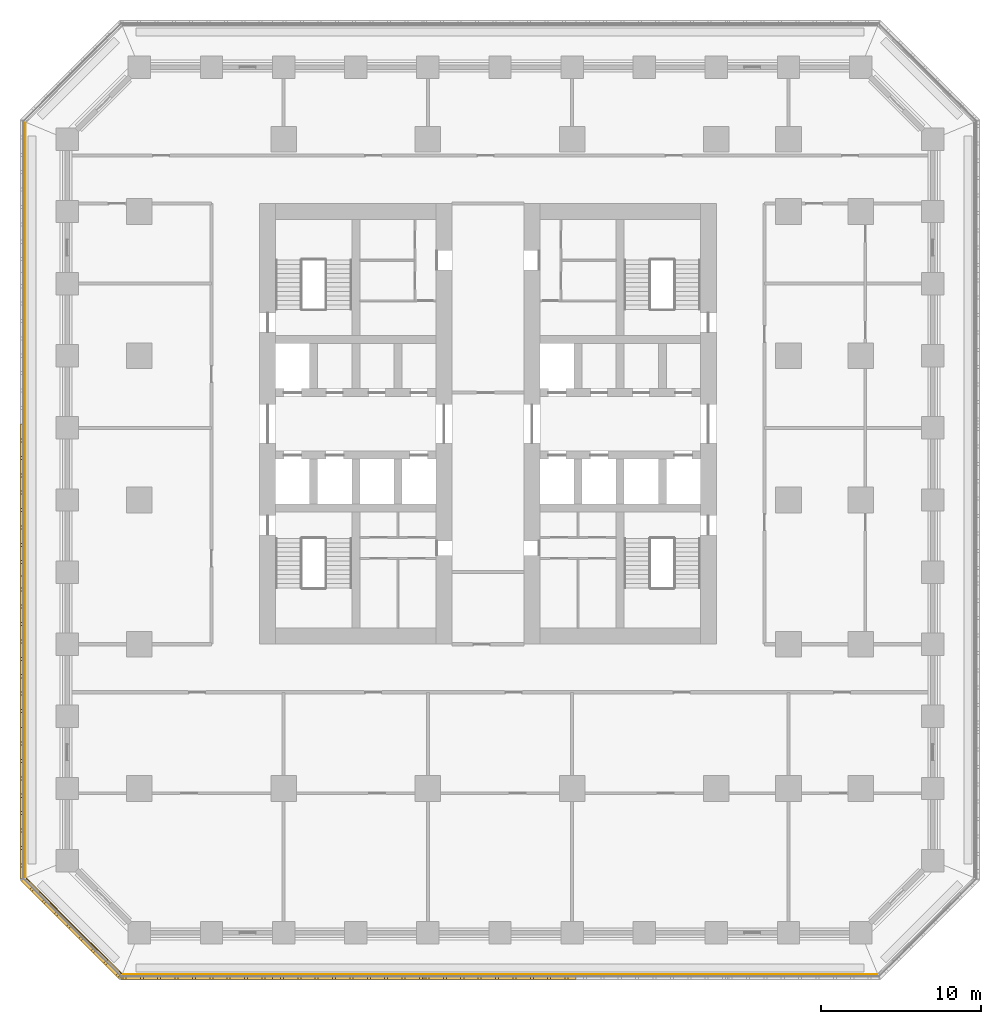
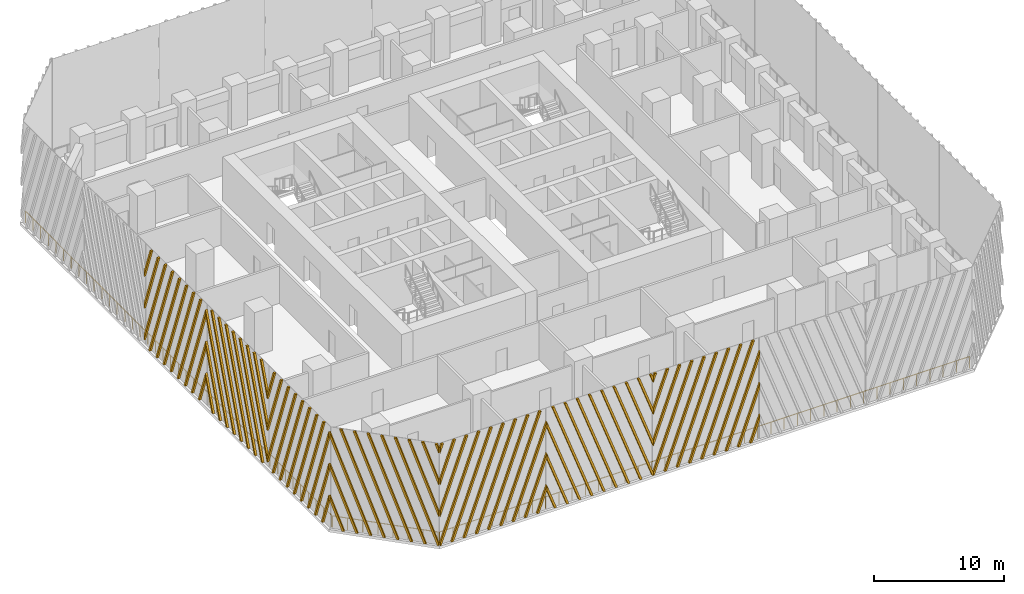
# One storey, part 8 of 13: 7 shading devices, 3 railings.
"""IFC4 building model written with IfcOpenShell, lengths in metres."""

from ifc_helpers import new_model, si_unit, direction, frame, origin, origin_2d, place, context, subcontext, project, spatial, polyline, circle, outline, extrude, source, transform, mapped, material, type_object, element, save


model = new_model("IFC4")

# Units and contexts
model_context = context("Model", 3, precision=1e-05, world=origin(), true_north=direction((0.0, 1.0)))
body_context = subcontext(model_context, "Body", "Model", "MODEL_VIEW")
ifc_project = project(units=[si_unit("LENGTHUNIT", "METRE"), si_unit("AREAUNIT", "SQUARE_METRE"), si_unit("VOLUMEUNIT", "CUBIC_METRE"), si_unit("PLANEANGLEUNIT", "RADIAN"), si_unit("MASSUNIT", "GRAM", prefix="KILO")], contexts=[model_context])

# Site, building, storey
site_placement = place(None, origin())
site = spatial("IfcSite", under=ifc_project, at=site_placement, CompositionType="ELEMENT")
building_placement = place(site_placement, origin())
building = spatial("IfcBuilding", under=site, at=building_placement, Name="Corbel Stack Research Tower", CompositionType="ELEMENT")
storey_placement = place(building_placement, frame((0.0, 0.0, 66.5)))
storey = spatial("IfcBuildingStorey", under=building, at=storey_placement, Name="L15", CompositionType="ELEMENT", Elevation=66.5)

# Railings
ifc_material_1 = material(Name="Powder-coated steel guard", Category="steel")
railing_type = type_object("IfcRailingType", Name="Steel and glass guard 1100", PredefinedType="GUARDRAIL", material=ifc_material_1)
railing_1_placement = place(storey_placement, frame((-19.00537109375, -29.60009765625, 0.0)))
element("IfcRailing", 1, at=railing_1_placement, inside=storey, type_object=railing_type, Name="Loggia guard L15 S", PredefinedType="GUARDRAIL", context=body_context, shape_type="SweptSolid", body=[
    extrude(circle(Radius=0.02392578125, at=origin_2d()), frame((0.0, 0.0, 1.076171875), z_axis=(1.0, 0.0, 0.0), x_axis=(0.0, 1.0, 0.0)), (0.0, 0.0, 1.0), 47.0107421875),
    extrude(circle(Radius=0.02099609375, at=origin_2d()), origin(), (0.0, 0.0, 1.0), 1.052001953125),
    extrude(circle(Radius=0.02099609375, at=origin_2d()), frame((1.17529296875, 0.0, 0.0)), (0.0, 0.0, 1.0), 1.052001953125),
    extrude(circle(Radius=0.02099609375, at=origin_2d()), frame((2.3505859375, 0.0, 0.0)), (0.0, 0.0, 1.0), 1.052001953125),
    extrude(circle(Radius=0.02099609375, at=origin_2d()), frame((3.52587890625, 0.0, 0.0)), (0.0, 0.0, 1.0), 1.052001953125),
    extrude(circle(Radius=0.02099609375, at=origin_2d()), frame((4.701171875, 0.0, 0.0)), (0.0, 0.0, 1.0), 1.052001953125),
    extrude(circle(Radius=0.02099609375, at=origin_2d()), frame((5.87646484375, 0.0, 0.0)), (0.0, 0.0, 1.0), 1.052001953125),
    extrude(circle(Radius=0.02099609375, at=origin_2d()), frame((7.051513671875, 0.0, 0.0)), (0.0, 0.0, 1.0), 1.052001953125),
    extrude(circle(Radius=0.02099609375, at=origin_2d()), frame((8.226806640625, 0.0, 0.0)), (0.0, 0.0, 1.0), 1.052001953125),
    extrude(circle(Radius=0.02099609375, at=origin_2d()), frame((9.402099609375, 0.0, 0.0)), (0.0, 0.0, 1.0), 1.052001953125),
    extrude(circle(Radius=0.02099609375, at=origin_2d()), frame((10.577392578125, 0.0, 0.0)), (0.0, 0.0, 1.0), 1.052001953125),
    extrude(circle(Radius=0.02099609375, at=origin_2d()), frame((11.752685546875, 0.0, 0.0)), (0.0, 0.0, 1.0), 1.052001953125),
    extrude(circle(Radius=0.02099609375, at=origin_2d()), frame((12.927978515625, 0.0, 0.0)), (0.0, 0.0, 1.0), 1.052001953125),
    extrude(circle(Radius=0.02099609375, at=origin_2d()), frame((14.103271484375, 0.0, 0.0)), (0.0, 0.0, 1.0), 1.052001953125),
    extrude(circle(Radius=0.02099609375, at=origin_2d()), frame((15.278564453125, 0.0, 0.0)), (0.0, 0.0, 1.0), 1.052001953125),
    extrude(circle(Radius=0.02099609375, at=origin_2d()), frame((16.453857421875, 0.0, 0.0)), (0.0, 0.0, 1.0), 1.052001953125),
    extrude(circle(Radius=0.02099609375, at=origin_2d()), frame((17.62890625, 0.0, 0.0)), (0.0, 0.0, 1.0), 1.052001953125),
    extrude(circle(Radius=0.02099609375, at=origin_2d()), frame((18.80419921875, 0.0, 0.0)), (0.0, 0.0, 1.0), 1.052001953125),
    extrude(circle(Radius=0.02099609375, at=origin_2d()), frame((19.9794921875, 0.0, 0.0)), (0.0, 0.0, 1.0), 1.052001953125),
    extrude(circle(Radius=0.02099609375, at=origin_2d()), frame((21.15478515625, 0.0, 0.0)), (0.0, 0.0, 1.0), 1.052001953125),
    extrude(circle(Radius=0.02099609375, at=origin_2d()), frame((22.330078125, 0.0, 0.0)), (0.0, 0.0, 1.0), 1.052001953125),
    extrude(circle(Radius=0.02099609375, at=origin_2d()), frame((23.50537109375, 0.0, 0.0)), (0.0, 0.0, 1.0), 1.052001953125),
    extrude(circle(Radius=0.02099609375, at=origin_2d()), frame((24.6806640625, 0.0, 0.0)), (0.0, 0.0, 1.0), 1.052001953125),
    extrude(circle(Radius=0.02099609375, at=origin_2d()), frame((25.85595703125, 0.0, 0.0)), (0.0, 0.0, 1.0), 1.052001953125),
    extrude(circle(Radius=0.02099609375, at=origin_2d()), frame((27.03125, 0.0, 0.0)), (0.0, 0.0, 1.0), 1.052001953125),
    extrude(circle(Radius=0.02099609375, at=origin_2d()), frame((28.20654296875, 0.0, 0.0)), (0.0, 0.0, 1.0), 1.052001953125),
    extrude(circle(Radius=0.02099609375, at=origin_2d()), frame((29.3818359375, 0.0, 0.0)), (0.0, 0.0, 1.0), 1.052001953125),
    extrude(circle(Radius=0.02099609375, at=origin_2d()), frame((30.556884765625, 0.0, 0.0)), (0.0, 0.0, 1.0), 1.052001953125),
    extrude(circle(Radius=0.02099609375, at=origin_2d()), frame((31.732177734375, 0.0, 0.0)), (0.0, 0.0, 1.0), 1.052001953125),
    extrude(circle(Radius=0.02099609375, at=origin_2d()), frame((32.907470703125, 0.0, 0.0)), (0.0, 0.0, 1.0), 1.052001953125),
    extrude(circle(Radius=0.02099609375, at=origin_2d()), frame((34.082763671875, 0.0, 0.0)), (0.0, 0.0, 1.0), 1.052001953125),
    extrude(circle(Radius=0.02099609375, at=origin_2d()), frame((35.258056640625, 0.0, 0.0)), (0.0, 0.0, 1.0), 1.052001953125),
    extrude(circle(Radius=0.02099609375, at=origin_2d()), frame((36.433349609375, 0.0, 0.0)), (0.0, 0.0, 1.0), 1.052001953125),
    extrude(circle(Radius=0.02099609375, at=origin_2d()), frame((37.608642578125, 0.0, 0.0)), (0.0, 0.0, 1.0), 1.052001953125),
    extrude(circle(Radius=0.02099609375, at=origin_2d()), frame((38.783935546875, 0.0, 0.0)), (0.0, 0.0, 1.0), 1.052001953125),
    extrude(circle(Radius=0.02099609375, at=origin_2d()), frame((39.959228515625, 0.0, 0.0)), (0.0, 0.0, 1.0), 1.052001953125),
    extrude(circle(Radius=0.02099609375, at=origin_2d()), frame((41.13427734375, 0.0, 0.0)), (0.0, 0.0, 1.0), 1.052001953125),
    extrude(circle(Radius=0.02099609375, at=origin_2d()), frame((42.3095703125, 0.0, 0.0)), (0.0, 0.0, 1.0), 1.052001953125),
    extrude(circle(Radius=0.02099609375, at=origin_2d()), frame((43.48486328125, 0.0, 0.0)), (0.0, 0.0, 1.0), 1.052001953125),
    extrude(circle(Radius=0.02099609375, at=origin_2d()), frame((44.66015625, 0.0, 0.0)), (0.0, 0.0, 1.0), 1.052001953125),
    extrude(circle(Radius=0.02099609375, at=origin_2d()), frame((45.83544921875, 0.0, 0.0)), (0.0, 0.0, 1.0), 1.052001953125),
    extrude(circle(Radius=0.02099609375, at=origin_2d()), frame((47.0107421875, 0.0, 0.0)), (0.0, 0.0, 1.0), 1.052001953125),
])
railing_2_placement = place(storey_placement, frame((-25.10009765625, 23.50537109375, 0.0)))
element("IfcRailing", 2, at=railing_2_placement, inside=storey, type_object=railing_type, Name="Loggia guard L15 W", PredefinedType="GUARDRAIL", context=body_context, shape_type="SweptSolid", body=[
    extrude(circle(Radius=0.02392578125, at=origin_2d()), frame((0.0, 0.0, 1.076171875), z_axis=(0.0, -1.0, 0.0), x_axis=(1.0, 0.0, 0.0)), (0.0, 0.0, 1.0), 47.0107421875),
    extrude(circle(Radius=0.02099609375, at=origin_2d()), origin(), (0.0, 0.0, 1.0), 1.052001953125),
    extrude(circle(Radius=0.02099609375, at=origin_2d()), frame((0.0, -1.17529296875, 0.0)), (0.0, 0.0, 1.0), 1.052001953125),
    extrude(circle(Radius=0.02099609375, at=origin_2d()), frame((0.0, -2.3505859375, 0.0)), (0.0, 0.0, 1.0), 1.052001953125),
    extrude(circle(Radius=0.02099609375, at=origin_2d()), frame((0.0, -3.52587890625, 0.0)), (0.0, 0.0, 1.0), 1.052001953125),
    extrude(circle(Radius=0.02099609375, at=origin_2d()), frame((0.0, -4.701171875, 0.0)), (0.0, 0.0, 1.0), 1.052001953125),
    extrude(circle(Radius=0.02099609375, at=origin_2d()), frame((0.0, -5.87646484375, 0.0)), (0.0, 0.0, 1.0), 1.052001953125),
    extrude(circle(Radius=0.02099609375, at=origin_2d()), frame((0.0, -7.051513671875, 0.0)), (0.0, 0.0, 1.0), 1.052001953125),
    extrude(circle(Radius=0.02099609375, at=origin_2d()), frame((0.0, -8.226806640625, 0.0)), (0.0, 0.0, 1.0), 1.052001953125),
    extrude(circle(Radius=0.02099609375, at=origin_2d()), frame((0.0, -9.402099609375, 0.0)), (0.0, 0.0, 1.0), 1.052001953125),
    extrude(circle(Radius=0.02099609375, at=origin_2d()), frame((0.0, -10.577392578125, 0.0)), (0.0, 0.0, 1.0), 1.052001953125),
    extrude(circle(Radius=0.02099609375, at=origin_2d()), frame((0.0, -11.752685546875, 0.0)), (0.0, 0.0, 1.0), 1.052001953125),
    extrude(circle(Radius=0.02099609375, at=origin_2d()), frame((0.0, -12.927978515625, 0.0)), (0.0, 0.0, 1.0), 1.052001953125),
    extrude(circle(Radius=0.02099609375, at=origin_2d()), frame((0.0, -14.103271484375, 0.0)), (0.0, 0.0, 1.0), 1.052001953125),
    extrude(circle(Radius=0.02099609375, at=origin_2d()), frame((0.0, -15.278564453125, 0.0)), (0.0, 0.0, 1.0), 1.052001953125),
    extrude(circle(Radius=0.02099609375, at=origin_2d()), frame((0.0, -16.453857421875, 0.0)), (0.0, 0.0, 1.0), 1.052001953125),
    extrude(circle(Radius=0.02099609375, at=origin_2d()), frame((0.0, -17.62890625, 0.0)), (0.0, 0.0, 1.0), 1.052001953125),
    extrude(circle(Radius=0.02099609375, at=origin_2d()), frame((0.0, -18.80419921875, 0.0)), (0.0, 0.0, 1.0), 1.052001953125),
    extrude(circle(Radius=0.02099609375, at=origin_2d()), frame((0.0, -19.9794921875, 0.0)), (0.0, 0.0, 1.0), 1.052001953125),
    extrude(circle(Radius=0.02099609375, at=origin_2d()), frame((0.0, -21.15478515625, 0.0)), (0.0, 0.0, 1.0), 1.052001953125),
    extrude(circle(Radius=0.02099609375, at=origin_2d()), frame((0.0, -22.330078125, 0.0)), (0.0, 0.0, 1.0), 1.052001953125),
    extrude(circle(Radius=0.02099609375, at=origin_2d()), frame((0.0, -23.50537109375, 0.0)), (0.0, 0.0, 1.0), 1.052001953125),
    extrude(circle(Radius=0.02099609375, at=origin_2d()), frame((0.0, -24.6806640625, 0.0)), (0.0, 0.0, 1.0), 1.052001953125),
    extrude(circle(Radius=0.02099609375, at=origin_2d()), frame((0.0, -25.85595703125, 0.0)), (0.0, 0.0, 1.0), 1.052001953125),
    extrude(circle(Radius=0.02099609375, at=origin_2d()), frame((0.0, -27.03125, 0.0)), (0.0, 0.0, 1.0), 1.052001953125),
    extrude(circle(Radius=0.02099609375, at=origin_2d()), frame((0.0, -28.20654296875, 0.0)), (0.0, 0.0, 1.0), 1.052001953125),
    extrude(circle(Radius=0.02099609375, at=origin_2d()), frame((0.0, -29.3818359375, 0.0)), (0.0, 0.0, 1.0), 1.052001953125),
    extrude(circle(Radius=0.02099609375, at=origin_2d()), frame((0.0, -30.556884765625, 0.0)), (0.0, 0.0, 1.0), 1.052001953125),
    extrude(circle(Radius=0.02099609375, at=origin_2d()), frame((0.0, -31.732177734375, 0.0)), (0.0, 0.0, 1.0), 1.052001953125),
    extrude(circle(Radius=0.02099609375, at=origin_2d()), frame((0.0, -32.907470703125, 0.0)), (0.0, 0.0, 1.0), 1.052001953125),
    extrude(circle(Radius=0.02099609375, at=origin_2d()), frame((0.0, -34.082763671875, 0.0)), (0.0, 0.0, 1.0), 1.052001953125),
    extrude(circle(Radius=0.02099609375, at=origin_2d()), frame((0.0, -35.258056640625, 0.0)), (0.0, 0.0, 1.0), 1.052001953125),
    extrude(circle(Radius=0.02099609375, at=origin_2d()), frame((0.0, -36.433349609375, 0.0)), (0.0, 0.0, 1.0), 1.052001953125),
    extrude(circle(Radius=0.02099609375, at=origin_2d()), frame((0.0, -37.608642578125, 0.0)), (0.0, 0.0, 1.0), 1.052001953125),
    extrude(circle(Radius=0.02099609375, at=origin_2d()), frame((0.0, -38.783935546875, 0.0)), (0.0, 0.0, 1.0), 1.052001953125),
    extrude(circle(Radius=0.02099609375, at=origin_2d()), frame((0.0, -39.959228515625, 0.0)), (0.0, 0.0, 1.0), 1.052001953125),
    extrude(circle(Radius=0.02099609375, at=origin_2d()), frame((0.0, -41.13427734375, 0.0)), (0.0, 0.0, 1.0), 1.052001953125),
    extrude(circle(Radius=0.02099609375, at=origin_2d()), frame((0.0, -42.3095703125, 0.0)), (0.0, 0.0, 1.0), 1.052001953125),
    extrude(circle(Radius=0.02099609375, at=origin_2d()), frame((0.0, -43.48486328125, 0.0)), (0.0, 0.0, 1.0), 1.052001953125),
    extrude(circle(Radius=0.02099609375, at=origin_2d()), frame((0.0, -44.66015625, 0.0)), (0.0, 0.0, 1.0), 1.052001953125),
    extrude(circle(Radius=0.02099609375, at=origin_2d()), frame((0.0, -45.83544921875, 0.0)), (0.0, 0.0, 1.0), 1.052001953125),
    extrude(circle(Radius=0.02099609375, at=origin_2d()), frame((0.0, -47.0107421875, 0.0)), (0.0, 0.0, 1.0), 1.052001953125),
])
railing_3_placement = place(storey_placement, frame((-25.04931640625, -23.627685546875, 0.0)))
element("IfcRailing", 3, at=railing_3_placement, inside=storey, type_object=railing_type, Name="Loggia guard L15 SW", PredefinedType="GUARDRAIL", context=body_context, shape_type="SweptSolid", body=[
    extrude(circle(Radius=0.02392578125, at=origin_2d()), frame((0.0, 0.0, 1.076171875), z_axis=(0.707106781187, -0.707106781187, 0.0), x_axis=(0.707106781187, 0.707106781187, 0.0)), (0.0, 0.0, 1.0), 8.37451171875),
    extrude(circle(Radius=0.02099609375, at=origin_2d()), origin(), (0.0, 0.0, 1.0), 1.052001953125),
    extrude(circle(Radius=0.02099609375, at=origin_2d()), frame((0.845947265625, -0.845947265625, 0.0)), (0.0, 0.0, 1.0), 1.052001953125),
    extrude(circle(Radius=0.02099609375, at=origin_2d()), frame((1.69189453125, -1.69189453125, 0.0)), (0.0, 0.0, 1.0), 1.052001953125),
    extrude(circle(Radius=0.02099609375, at=origin_2d()), frame((2.537841796875, -2.537841796875, 0.0)), (0.0, 0.0, 1.0), 1.052001953125),
    extrude(circle(Radius=0.02099609375, at=origin_2d()), frame((3.3837890625, -3.3837890625, 0.0)), (0.0, 0.0, 1.0), 1.052001953125),
    extrude(circle(Radius=0.02099609375, at=origin_2d()), frame((4.229736328125, -4.229736328125, 0.0)), (0.0, 0.0, 1.0), 1.052001953125),
    extrude(circle(Radius=0.02099609375, at=origin_2d()), frame((5.07568359375, -5.07568359375, 0.0)), (0.0, 0.0, 1.0), 1.052001953125),
    extrude(circle(Radius=0.02099609375, at=origin_2d()), frame((5.921630859375, -5.921630859375, 0.0)), (0.0, 0.0, 1.0), 1.052001953125),
])

# Shading devices
ifc_material_2 = material(Name="Precast terracotta", Category="masonry")
shading_device_type = type_object("IfcShadingDeviceType", Name="Terracotta screen panel", PredefinedType="USERDEFINED", material=ifc_material_2)
shared_shape_1 = source(origin(), body_context, "Body", "SweptSolid", [
    extrude(outline(polyline([(0.298583984375, 9.5), (0.108642578125, 9.5), (0.0, 9.201416015625), (0.0, 8.67919921875), (0.298583984375, 9.5)])), frame((0.0, 0.0, 0.0), z_axis=(0.0, -1.0, 0.0), x_axis=(1.0, 0.0, 0.0)), (0.0, 0.0, 1.0), 0.179931640625),
    extrude(outline(polyline([(1.38330078125, 9.5), (1.193359375, 9.5), (0.0, 6.22119140625), (0.0, 5.69921875), (1.38330078125, 9.5)])), frame((0.0, 0.0, 0.0), z_axis=(0.0, -1.0, 0.0), x_axis=(1.0, 0.0, 0.0)), (0.0, 0.0, 1.0), 0.179931640625),
    extrude(outline(polyline([(2.468017578125, 9.5), (2.278076171875, 9.5), (0.0, 3.2412109375), (0.0, 2.718994140625), (2.468017578125, 9.5)])), frame((0.0, 0.0, 0.0), z_axis=(0.0, -1.0, 0.0), x_axis=(1.0, 0.0, 0.0)), (0.0, 0.0, 1.0), 0.179931640625),
    extrude(outline(polyline([(0.094970703125, 0.0), (3.552734375, 9.5), (3.36279296875, 9.5), (0.0, 0.260986328125), (0.0, 0.0), (0.094970703125, 0.0)])), frame((0.0, 0.0, 0.0), z_axis=(0.0, -1.0, 0.0), x_axis=(1.0, 0.0, 0.0)), (0.0, 0.0, 1.0), 0.179931640625),
    extrude(outline(polyline([(1.1796875, 0.0), (4.637451171875, 9.5), (4.447509765625, 9.5), (0.98974609375, 0.0), (1.1796875, 0.0)])), frame((0.0, 0.0, 0.0), z_axis=(0.0, -1.0, 0.0), x_axis=(1.0, 0.0, 0.0)), (0.0, 0.0, 1.0), 0.179931640625),
    extrude(outline(polyline([(2.264404296875, 0.0), (5.721923828125, 9.5), (5.531982421875, 9.5), (2.07421875, 0.0), (2.264404296875, 0.0)])), frame((0.0, 0.0, 0.0), z_axis=(0.0, -1.0, 0.0), x_axis=(1.0, 0.0, 0.0)), (0.0, 0.0, 1.0), 0.179931640625),
    extrude(outline(polyline([(3.34912109375, 0.0), (6.806640625, 9.5), (6.61669921875, 9.5), (3.158935546875, 0.0), (3.34912109375, 0.0)])), frame((0.0, 0.0, 0.0), z_axis=(0.0, -1.0, 0.0), x_axis=(1.0, 0.0, 0.0)), (0.0, 0.0, 1.0), 0.179931640625),
    extrude(outline(polyline([(4.43359375, 0.0), (7.891357421875, 9.5), (7.701416015625, 9.5), (4.24365234375, 0.0), (4.43359375, 0.0)])), frame((0.0, 0.0, 0.0), z_axis=(0.0, -1.0, 0.0), x_axis=(1.0, 0.0, 0.0)), (0.0, 0.0, 1.0), 0.179931640625),
    extrude(outline(polyline([(5.518310546875, 0.0), (8.97607421875, 9.5), (8.785888671875, 9.5), (5.328369140625, 0.0), (5.518310546875, 0.0)])), frame((0.0, 0.0, 0.0), z_axis=(0.0, -1.0, 0.0), x_axis=(1.0, 0.0, 0.0)), (0.0, 0.0, 1.0), 0.179931640625),
    extrude(outline(polyline([(6.60302734375, 0.0), (9.45556640625, 7.837646484375), (9.45556640625, 8.359619140625), (6.4130859375, 0.0), (6.60302734375, 0.0)])), frame((0.0, 0.0, 0.0), z_axis=(0.0, -1.0, 0.0), x_axis=(1.0, 0.0, 0.0)), (0.0, 0.0, 1.0), 0.179931640625),
    extrude(outline(polyline([(7.687744140625, 0.0), (9.45556640625, 4.857421875), (9.45556640625, 5.37939453125), (7.497802734375, 0.0), (7.687744140625, 0.0)])), frame((0.0, 0.0, 0.0), z_axis=(0.0, -1.0, 0.0), x_axis=(1.0, 0.0, 0.0)), (0.0, 0.0, 1.0), 0.179931640625),
    extrude(outline(polyline([(8.772216796875, 0.0), (9.45556640625, 1.87744140625), (9.45556640625, 2.3994140625), (8.582275390625, 0.0), (8.772216796875, 0.0)])), frame((0.0, 0.0, 0.0), z_axis=(0.0, -1.0, 0.0), x_axis=(1.0, 0.0, 0.0)), (0.0, 0.0, 1.0), 0.179931640625),
])
for number, where, z_axis, x_axis, name in (
    (4, (-19.13916015625, -29.75, 0.0), (0.0, 0.0, 1.0), (1.0, 0.0, 0.0), "Terracotta screen L15 S1"),
    (5, (-0.227783203125, -29.75, 0.0), (0.0, 0.0, 1.0), (1.0, 0.0, 0.0), "Terracotta screen L15 S3"),
):
    element("IfcShadingDevice", number, at=place(storey_placement, frame(where, z_axis=z_axis, x_axis=x_axis)), inside=storey, type_object=shading_device_type, Name=name, ObjectType="SCREEN", PredefinedType="USERDEFINED", context=body_context, shape_type="MappedRepresentation", body=[
        mapped(shared_shape_1, transform((0.0, 0.0, 0.0))),
    ])
shared_shape_2 = source(origin(), body_context, "Body", "SweptSolid", [
    extrude(outline(polyline([(0.873291015625, 0.0), (0.0, 2.3994140625), (0.0, 1.87744140625), (0.683349609375, 0.0), (0.873291015625, 0.0)])), frame((0.0, 0.0, 0.0), z_axis=(0.0, -1.0, 0.0), x_axis=(1.0, 0.0, 0.0)), (0.0, 0.0, 1.0), 0.179931640625),
    extrude(outline(polyline([(1.9580078125, 0.0), (0.0, 5.37939453125), (0.0, 4.857421875), (1.76806640625, 0.0), (1.9580078125, 0.0)])), frame((0.0, 0.0, 0.0), z_axis=(0.0, -1.0, 0.0), x_axis=(1.0, 0.0, 0.0)), (0.0, 0.0, 1.0), 0.179931640625),
    extrude(outline(polyline([(3.04248046875, 0.0), (0.0, 8.359619140625), (0.0, 7.837646484375), (2.8525390625, 0.0), (3.04248046875, 0.0)])), frame((0.0, 0.0, 0.0), z_axis=(0.0, -1.0, 0.0), x_axis=(1.0, 0.0, 0.0)), (0.0, 0.0, 1.0), 0.179931640625),
    extrude(outline(polyline([(4.127197265625, 0.0), (0.669677734375, 9.5), (0.4794921875, 9.5), (3.937255859375, 0.0), (4.127197265625, 0.0)])), frame((0.0, 0.0, 0.0), z_axis=(0.0, -1.0, 0.0), x_axis=(1.0, 0.0, 0.0)), (0.0, 0.0, 1.0), 0.179931640625),
    extrude(outline(polyline([(5.2119140625, 0.0), (1.75439453125, 9.5), (1.564208984375, 9.5), (5.02197265625, 0.0), (5.2119140625, 0.0)])), frame((0.0, 0.0, 0.0), z_axis=(0.0, -1.0, 0.0), x_axis=(1.0, 0.0, 0.0)), (0.0, 0.0, 1.0), 0.179931640625),
    extrude(outline(polyline([(6.296630859375, 0.0), (2.8388671875, 9.5), (2.64892578125, 9.5), (6.106689453125, 0.0), (6.296630859375, 0.0)])), frame((0.0, 0.0, 0.0), z_axis=(0.0, -1.0, 0.0), x_axis=(1.0, 0.0, 0.0)), (0.0, 0.0, 1.0), 0.179931640625),
    extrude(outline(polyline([(7.38134765625, 0.0), (3.923583984375, 9.5), (3.733642578125, 9.5), (7.19140625, 0.0), (7.38134765625, 0.0)])), frame((0.0, 0.0, 0.0), z_axis=(0.0, -1.0, 0.0), x_axis=(1.0, 0.0, 0.0)), (0.0, 0.0, 1.0), 0.179931640625),
    extrude(outline(polyline([(8.466064453125, 0.0), (5.00830078125, 9.5), (4.818359375, 9.5), (8.27587890625, 0.0), (8.466064453125, 0.0)])), frame((0.0, 0.0, 0.0), z_axis=(0.0, -1.0, 0.0), x_axis=(1.0, 0.0, 0.0)), (0.0, 0.0, 1.0), 0.179931640625),
    extrude(outline(polyline([(9.45556640625, 0.0), (9.45556640625, 0.260986328125), (6.093017578125, 9.5), (5.90283203125, 9.5), (9.360595703125, 0.0), (9.45556640625, 0.0)])), frame((0.0, 0.0, 0.0), z_axis=(0.0, -1.0, 0.0), x_axis=(1.0, 0.0, 0.0)), (0.0, 0.0, 1.0), 0.179931640625),
    extrude(outline(polyline([(7.177490234375, 9.5), (6.987548828125, 9.5), (9.45556640625, 2.718994140625), (9.45556640625, 3.2412109375), (7.177490234375, 9.5)])), frame((0.0, 0.0, 0.0), z_axis=(0.0, -1.0, 0.0), x_axis=(1.0, 0.0, 0.0)), (0.0, 0.0, 1.0), 0.179931640625),
    extrude(outline(polyline([(8.26220703125, 9.5), (8.072265625, 9.5), (9.45556640625, 5.69921875), (9.45556640625, 6.22119140625), (8.26220703125, 9.5)])), frame((0.0, 0.0, 0.0), z_axis=(0.0, -1.0, 0.0), x_axis=(1.0, 0.0, 0.0)), (0.0, 0.0, 1.0), 0.179931640625),
    extrude(outline(polyline([(9.346923828125, 9.5), (9.156982421875, 9.5), (9.45556640625, 8.67919921875), (9.45556640625, 9.201416015625), (9.346923828125, 9.5)])), frame((0.0, 0.0, 0.0), z_axis=(0.0, -1.0, 0.0), x_axis=(1.0, 0.0, 0.0)), (0.0, 0.0, 1.0), 0.179931640625),
])
shading_device_1_placement = place(storey_placement, frame((-9.68359375, -29.75, 0.0), z_axis=(0.0, 0.0, 1.0), x_axis=(1.0, 0.0, 0.0)))
element("IfcShadingDevice", 6, at=shading_device_1_placement, inside=storey, type_object=shading_device_type, Name="Terracotta screen L15 S2", ObjectType="SCREEN", PredefinedType="USERDEFINED", context=body_context, shape_type="MappedRepresentation", body=[
    mapped(shared_shape_2, transform((0.0, 0.0, 0.0))),
])
shared_shape_3 = source(origin(), body_context, "Body", "SweptSolid", [
    extrude(outline(polyline([(1.1123046875, 9.5), (0.922119140625, 9.5), (0.0, 6.96630859375), (0.0, 6.444091796875), (1.1123046875, 9.5)])), frame((0.0, 0.0, 0.0), z_axis=(0.0, -1.0, 0.0), x_axis=(1.0, 0.0, 0.0)), (0.0, 0.0, 1.0), 0.179931640625),
    extrude(outline(polyline([(2.197021484375, 9.5), (2.0068359375, 9.5), (0.0, 3.986083984375), (0.0, 3.464111328125), (2.197021484375, 9.5)])), frame((0.0, 0.0, 0.0), z_axis=(0.0, -1.0, 0.0), x_axis=(1.0, 0.0, 0.0)), (0.0, 0.0, 1.0), 0.179931640625),
    extrude(outline(polyline([(3.281494140625, 9.5), (3.091552734375, 9.5), (0.0, 1.006103515625), (0.0, 0.48388671875), (3.281494140625, 9.5)])), frame((0.0, 0.0, 0.0), z_axis=(0.0, -1.0, 0.0), x_axis=(1.0, 0.0, 0.0)), (0.0, 0.0, 1.0), 0.179931640625),
    extrude(outline(polyline([(0.908447265625, 0.0), (4.3662109375, 9.5), (4.17626953125, 9.5), (0.718505859375, 0.0), (0.908447265625, 0.0)])), frame((0.0, 0.0, 0.0), z_axis=(0.0, -1.0, 0.0), x_axis=(1.0, 0.0, 0.0)), (0.0, 0.0, 1.0), 0.179931640625),
    extrude(outline(polyline([(1.9931640625, 0.0), (5.450927734375, 9.5), (5.260986328125, 9.5), (1.80322265625, 0.0), (1.9931640625, 0.0)])), frame((0.0, 0.0, 0.0), z_axis=(0.0, -1.0, 0.0), x_axis=(1.0, 0.0, 0.0)), (0.0, 0.0, 1.0), 0.179931640625),
    extrude(outline(polyline([(3.077880859375, 0.0), (6.535400390625, 9.5), (6.345458984375, 9.5), (2.8876953125, 0.0), (3.077880859375, 0.0)])), frame((0.0, 0.0, 0.0), z_axis=(0.0, -1.0, 0.0), x_axis=(1.0, 0.0, 0.0)), (0.0, 0.0, 1.0), 0.179931640625),
    extrude(outline(polyline([(4.16259765625, 0.0), (7.6201171875, 9.5), (7.43017578125, 9.5), (3.972412109375, 0.0), (4.16259765625, 0.0)])), frame((0.0, 0.0, 0.0), z_axis=(0.0, -1.0, 0.0), x_axis=(1.0, 0.0, 0.0)), (0.0, 0.0, 1.0), 0.179931640625),
    extrude(outline(polyline([(5.247314453125, 0.0), (8.704833984375, 9.5), (8.514892578125, 9.5), (5.05712890625, 0.0), (5.247314453125, 0.0)])), frame((0.0, 0.0, 0.0), z_axis=(0.0, -1.0, 0.0), x_axis=(1.0, 0.0, 0.0)), (0.0, 0.0, 1.0), 0.179931640625),
    extrude(outline(polyline([(6.331787109375, 0.0), (9.45556640625, 8.58251953125), (9.45556640625, 9.1044921875), (6.141845703125, 0.0), (6.331787109375, 0.0)])), frame((0.0, 0.0, 0.0), z_axis=(0.0, -1.0, 0.0), x_axis=(1.0, 0.0, 0.0)), (0.0, 0.0, 1.0), 0.179931640625),
    extrude(outline(polyline([(7.41650390625, 0.0), (9.45556640625, 5.6025390625), (9.45556640625, 6.12451171875), (7.2265625, 0.0), (7.41650390625, 0.0)])), frame((0.0, 0.0, 0.0), z_axis=(0.0, -1.0, 0.0), x_axis=(1.0, 0.0, 0.0)), (0.0, 0.0, 1.0), 0.179931640625),
    extrude(outline(polyline([(8.501220703125, 0.0), (9.45556640625, 2.622314453125), (9.45556640625, 3.144287109375), (8.311279296875, 0.0), (8.501220703125, 0.0)])), frame((0.0, 0.0, 0.0), z_axis=(0.0, -1.0, 0.0), x_axis=(1.0, 0.0, 0.0)), (0.0, 0.0, 1.0), 0.179931640625),
])
for number, where, z_axis, x_axis, name in (
    (7, (-25.25, 4.727783203125, 0.0), (0.0, 0.0, 1.0), (0.0, -1.0, 0.0), "Terracotta screen L15 W3"),
    (8, (-25.25, -14.18359375, 0.0), (0.0, 0.0, 1.0), (0.0, -1.0, 0.0), "Terracotta screen L15 W5"),
):
    element("IfcShadingDevice", number, at=place(storey_placement, frame(where, z_axis=z_axis, x_axis=x_axis)), inside=storey, type_object=shading_device_type, Name=name, ObjectType="SCREEN", PredefinedType="USERDEFINED", context=body_context, shape_type="MappedRepresentation", body=[
        mapped(shared_shape_3, transform((0.0, 0.0, 0.0))),
    ])
shared_shape_4 = source(origin(), body_context, "Body", "SweptSolid", [
    extrude(outline(polyline([(1.14453125, 0.0), (0.0, 3.144287109375), (0.0, 2.622314453125), (0.95458984375, 0.0), (1.14453125, 0.0)])), frame((0.0, 0.0, 0.0), z_axis=(0.0, -1.0, 0.0), x_axis=(1.0, 0.0, 0.0)), (0.0, 0.0, 1.0), 0.179931640625),
    extrude(outline(polyline([(2.22900390625, 0.0), (0.0, 6.12451171875), (0.0, 5.6025390625), (2.0390625, 0.0), (2.22900390625, 0.0)])), frame((0.0, 0.0, 0.0), z_axis=(0.0, -1.0, 0.0), x_axis=(1.0, 0.0, 0.0)), (0.0, 0.0, 1.0), 0.179931640625),
    extrude(outline(polyline([(3.313720703125, 0.0), (0.0, 9.1044921875), (0.0, 8.58251953125), (3.123779296875, 0.0), (3.313720703125, 0.0)])), frame((0.0, 0.0, 0.0), z_axis=(0.0, -1.0, 0.0), x_axis=(1.0, 0.0, 0.0)), (0.0, 0.0, 1.0), 0.179931640625),
    extrude(outline(polyline([(4.3984375, 0.0), (0.94091796875, 9.5), (0.750732421875, 9.5), (4.20849609375, 0.0), (4.3984375, 0.0)])), frame((0.0, 0.0, 0.0), z_axis=(0.0, -1.0, 0.0), x_axis=(1.0, 0.0, 0.0)), (0.0, 0.0, 1.0), 0.179931640625),
    extrude(outline(polyline([(5.483154296875, 0.0), (2.025390625, 9.5), (1.83544921875, 9.5), (5.293212890625, 0.0), (5.483154296875, 0.0)])), frame((0.0, 0.0, 0.0), z_axis=(0.0, -1.0, 0.0), x_axis=(1.0, 0.0, 0.0)), (0.0, 0.0, 1.0), 0.179931640625),
    extrude(outline(polyline([(6.56787109375, 0.0), (3.110107421875, 9.5), (2.920166015625, 9.5), (6.377685546875, 0.0), (6.56787109375, 0.0)])), frame((0.0, 0.0, 0.0), z_axis=(0.0, -1.0, 0.0), x_axis=(1.0, 0.0, 0.0)), (0.0, 0.0, 1.0), 0.179931640625),
    extrude(outline(polyline([(7.652587890625, 0.0), (4.19482421875, 9.5), (4.0048828125, 9.5), (7.46240234375, 0.0), (7.652587890625, 0.0)])), frame((0.0, 0.0, 0.0), z_axis=(0.0, -1.0, 0.0), x_axis=(1.0, 0.0, 0.0)), (0.0, 0.0, 1.0), 0.179931640625),
    extrude(outline(polyline([(8.737060546875, 0.0), (5.279296875, 9.5), (5.08935546875, 9.5), (8.547119140625, 0.0), (8.737060546875, 0.0)])), frame((0.0, 0.0, 0.0), z_axis=(0.0, -1.0, 0.0), x_axis=(1.0, 0.0, 0.0)), (0.0, 0.0, 1.0), 0.179931640625),
    extrude(outline(polyline([(6.364013671875, 9.5), (6.174072265625, 9.5), (9.45556640625, 0.48388671875), (9.45556640625, 1.006103515625), (6.364013671875, 9.5)])), frame((0.0, 0.0, 0.0), z_axis=(0.0, -1.0, 0.0), x_axis=(1.0, 0.0, 0.0)), (0.0, 0.0, 1.0), 0.179931640625),
    extrude(outline(polyline([(7.44873046875, 9.5), (7.2587890625, 9.5), (9.45556640625, 3.464111328125), (9.45556640625, 3.986083984375), (7.44873046875, 9.5)])), frame((0.0, 0.0, 0.0), z_axis=(0.0, -1.0, 0.0), x_axis=(1.0, 0.0, 0.0)), (0.0, 0.0, 1.0), 0.179931640625),
    extrude(outline(polyline([(8.533447265625, 9.5), (8.343505859375, 9.5), (9.45556640625, 6.444091796875), (9.45556640625, 6.96630859375), (8.533447265625, 9.5)])), frame((0.0, 0.0, 0.0), z_axis=(0.0, -1.0, 0.0), x_axis=(1.0, 0.0, 0.0)), (0.0, 0.0, 1.0), 0.179931640625),
])
shading_device_2_placement = place(storey_placement, frame((-25.25, -4.727783203125, 0.0), z_axis=(0.0, 0.0, 1.0), x_axis=(0.0, -1.0, 0.0)))
element("IfcShadingDevice", 9, at=shading_device_2_placement, inside=storey, type_object=shading_device_type, Name="Terracotta screen L15 W4", ObjectType="SCREEN", PredefinedType="USERDEFINED", context=body_context, shape_type="MappedRepresentation", body=[
    mapped(shared_shape_4, transform((0.0, 0.0, 0.0))),
])
shared_shape_5 = source(origin(), body_context, "Body", "SweptSolid", [
    extrude(outline(polyline([(1.14453125, 0.0), (0.0, 3.144287109375), (0.0, 2.622314453125), (0.95458984375, 0.0), (1.14453125, 0.0)])), frame((0.0, 0.0, 0.0), z_axis=(0.0, -1.0, 0.0), x_axis=(1.0, 0.0, 0.0)), (0.0, 0.0, 1.0), 0.179931640625),
    extrude(outline(polyline([(2.22900390625, 0.0), (0.0, 6.12451171875), (0.0, 5.6025390625), (2.0390625, 0.0), (2.22900390625, 0.0)])), frame((0.0, 0.0, 0.0), z_axis=(0.0, -1.0, 0.0), x_axis=(1.0, 0.0, 0.0)), (0.0, 0.0, 1.0), 0.179931640625),
    extrude(outline(polyline([(3.313720703125, 0.0), (0.0, 9.1044921875), (0.0, 8.58251953125), (3.123779296875, 0.0), (3.313720703125, 0.0)])), frame((0.0, 0.0, 0.0), z_axis=(0.0, -1.0, 0.0), x_axis=(1.0, 0.0, 0.0)), (0.0, 0.0, 1.0), 0.179931640625),
    extrude(outline(polyline([(4.3984375, 0.0), (0.94091796875, 9.5), (0.750732421875, 9.5), (4.20849609375, 0.0), (4.3984375, 0.0)])), frame((0.0, 0.0, 0.0), z_axis=(0.0, -1.0, 0.0), x_axis=(1.0, 0.0, 0.0)), (0.0, 0.0, 1.0), 0.179931640625),
    extrude(outline(polyline([(5.483154296875, 0.0), (2.025390625, 9.5), (1.83544921875, 9.5), (5.293212890625, 0.0), (5.483154296875, 0.0)])), frame((0.0, 0.0, 0.0), z_axis=(0.0, -1.0, 0.0), x_axis=(1.0, 0.0, 0.0)), (0.0, 0.0, 1.0), 0.179931640625),
    extrude(outline(polyline([(6.56787109375, 0.0), (3.110107421875, 9.5), (2.920166015625, 9.5), (6.377685546875, 0.0), (6.56787109375, 0.0)])), frame((0.0, 0.0, 0.0), z_axis=(0.0, -1.0, 0.0), x_axis=(1.0, 0.0, 0.0)), (0.0, 0.0, 1.0), 0.179931640625),
    extrude(outline(polyline([(7.652587890625, 0.0), (4.19482421875, 9.5), (4.0048828125, 9.5), (7.46240234375, 0.0), (7.652587890625, 0.0)])), frame((0.0, 0.0, 0.0), z_axis=(0.0, -1.0, 0.0), x_axis=(1.0, 0.0, 0.0)), (0.0, 0.0, 1.0), 0.179931640625),
    extrude(outline(polyline([(8.64208984375, 0.0), (8.64208984375, 0.260986328125), (5.279296875, 9.5), (5.08935546875, 9.5), (8.547119140625, 0.0), (8.64208984375, 0.0)])), frame((0.0, 0.0, 0.0), z_axis=(0.0, -1.0, 0.0), x_axis=(1.0, 0.0, 0.0)), (0.0, 0.0, 1.0), 0.179931640625),
    extrude(outline(polyline([(6.364013671875, 9.5), (6.174072265625, 9.5), (8.64208984375, 2.718994140625), (8.64208984375, 3.2412109375), (6.364013671875, 9.5)])), frame((0.0, 0.0, 0.0), z_axis=(0.0, -1.0, 0.0), x_axis=(1.0, 0.0, 0.0)), (0.0, 0.0, 1.0), 0.179931640625),
    extrude(outline(polyline([(7.44873046875, 9.5), (7.2587890625, 9.5), (8.64208984375, 5.69921875), (8.64208984375, 6.22119140625), (7.44873046875, 9.5)])), frame((0.0, 0.0, 0.0), z_axis=(0.0, -1.0, 0.0), x_axis=(1.0, 0.0, 0.0)), (0.0, 0.0, 1.0), 0.179931640625),
    extrude(outline(polyline([(8.533447265625, 9.5), (8.343505859375, 9.5), (8.64208984375, 8.67919921875), (8.64208984375, 9.201416015625), (8.533447265625, 9.5)])), frame((0.0, 0.0, 0.0), z_axis=(0.0, -1.0, 0.0), x_axis=(1.0, 0.0, 0.0)), (0.0, 0.0, 1.0), 0.179931640625),
])
shading_device_3_placement = place(storey_placement, frame((-25.25, -23.63916015625, 0.0), z_axis=(0.0, 0.0, 1.0), x_axis=(0.707106781187, -0.707106781187, 0.0)))
element("IfcShadingDevice", 10, at=shading_device_3_placement, inside=storey, type_object=shading_device_type, Name="Terracotta screen L15 SW1", ObjectType="SCREEN", PredefinedType="USERDEFINED", context=body_context, shape_type="MappedRepresentation", body=[
    mapped(shared_shape_5, transform((0.0, 0.0, 0.0))),
])

save(model, "model.ifc")
